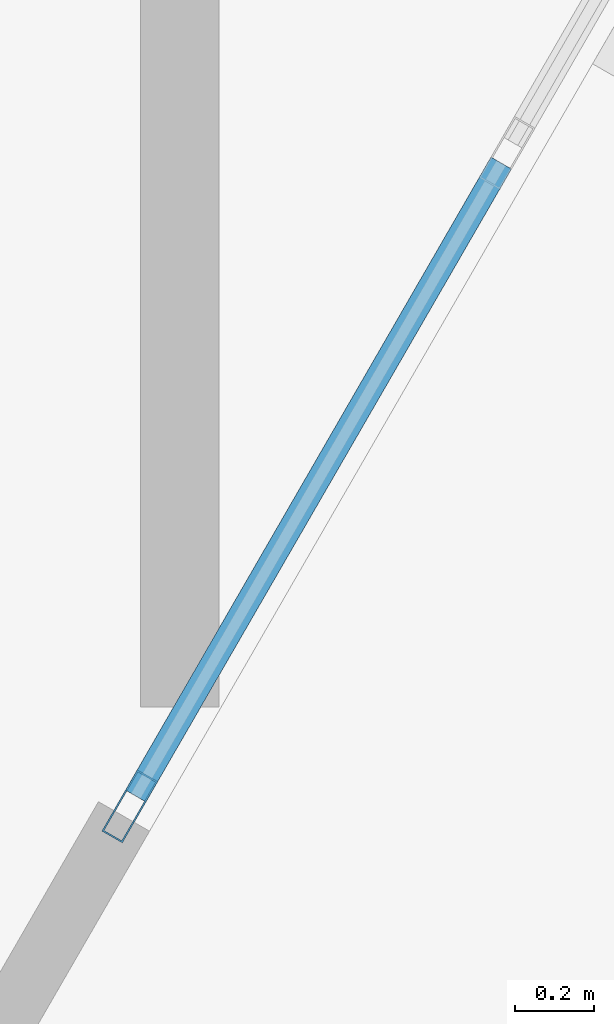
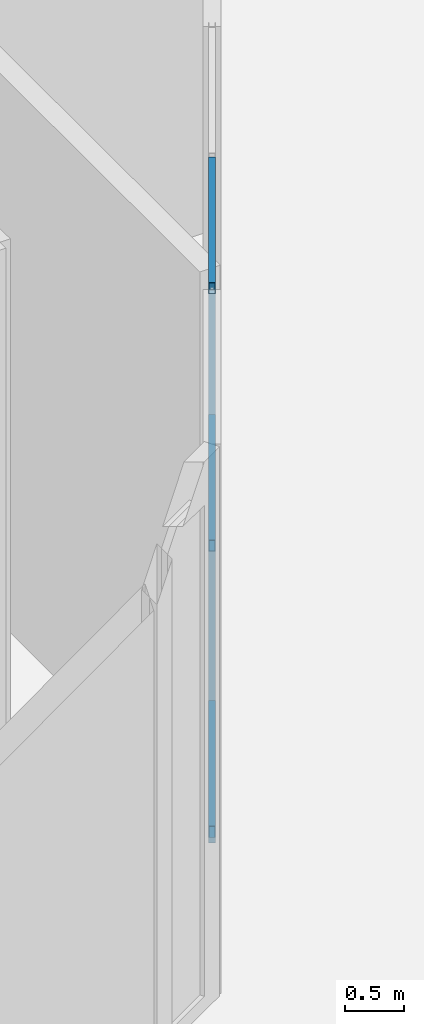
# One storey, part 12 of 43: 4 members, 1 element without a shape of its own.
"""IFC4 building model written with IfcOpenShell, lengths in metres."""

import ifcopenshell
import ifcopenshell.guid

model = None  # the IFC model being written
_history = None  # IfcOwnerHistory: only IFC2X3 demands one
_inside = {}  # id of a spatial element -> (the spatial element, [elements in it])
_under = {}  # id of a project, library or spatial element -> (it, [spatial elements below it])
_declared = {}  # id of a project -> (the project, [libraries it declares])
_typed = {}  # id of a type object -> (the type object, [elements of that type])
_made_of = {}  # id of a material, layer set ... -> (it, [elements and type objects made of it])


def new_model(schema):
    """Start an empty IFC model of exactly this schema.

    Asked for "IFC4X3", IfcOpenShell would pick the latest addendum, in which some entities
    have other attributes; the version numbers below select the first issue.
    IFC2X3 requires an IfcOwnerHistory on every rooted entity: one is made here for all.
    """
    global model, _history
    if schema == "IFC4X3":
        model = ifcopenshell.file(schema_version=(4, 3, 0, 0))
    else:
        model = ifcopenshell.file(schema=schema)
    _inside.clear()
    _under.clear()
    _declared.clear()
    _typed.clear()
    _made_of.clear()
    _history = None
    if model.schema == "IFC2X3":
        org = make("IfcOrganization", Name="unknown")
        user = make(
            "IfcPersonAndOrganization",
            ThePerson=make("IfcPerson", FamilyName="unknown"),
            TheOrganization=org,
        )
        app = make(
            "IfcApplication",
            ApplicationDeveloper=org,
            Version="unknown",
            ApplicationFullName="unknown",
            ApplicationIdentifier="unknown",
        )
        _history = make(
            "IfcOwnerHistory",
            OwningUser=user,
            OwningApplication=app,
            ChangeAction="ADDED",
            CreationDate=0,
        )
    return model


def make(cls, **values):
    """One entity of the class cls with the attributes given. An attribute that is None is left unset."""
    return model.create_entity(
        cls, **{name: value for name, value in values.items() if value is not None}
    )


def rooted(cls, **values):
    """An entity with a GlobalId (a new one), such as an element, a storey or a relation."""
    return make(cls, GlobalId=ifcopenshell.guid.new(), OwnerHistory=_history, **values)


def si_unit(unit_type, name, prefix=None):
    """IfcSIUnit, for example si_unit("LENGTHUNIT", "METRE", prefix="MILLI")."""
    return make("IfcSIUnit", UnitType=unit_type, Prefix=prefix, Name=name)


def assignment(units):
    """IfcUnitAssignment: the units of a project."""
    return None if units is None else make("IfcUnitAssignment", Units=units)


def point(xyz):
    """IfcCartesianPoint."""
    return None if xyz is None else make("IfcCartesianPoint", Coordinates=xyz)


def direction(xyz):
    """IfcDirection."""
    return None if xyz is None else make("IfcDirection", DirectionRatios=xyz)


def frame(location, z_axis=None, x_axis=None):
    """IfcAxis2Placement3D, a coordinate frame: its origin and axes. An axis left out is left unset."""
    return make(
        "IfcAxis2Placement3D",
        Location=point(location),
        Axis=direction(z_axis),
        RefDirection=direction(x_axis),
    )


def frame_2d(location, x_axis=None):
    """IfcAxis2Placement2D, a coordinate frame in the plane: its origin and x axis."""
    return make(
        "IfcAxis2Placement2D", Location=point(location), RefDirection=direction(x_axis)
    )


def origin():
    """The frame at (0, 0, 0) with its axes left unset."""
    return frame((0.0, 0.0, 0.0))


def origin_2d():
    """The frame at (0, 0) in the plane with its x axis left unset."""
    return frame_2d((0.0, 0.0))


def place(relative_to, where):
    """IfcLocalPlacement: puts the frame where relative to a parent placement (None: the world)."""
    return make(
        "IfcLocalPlacement", PlacementRelTo=relative_to, RelativePlacement=where
    )


def context(
    kind, dimensions, precision=None, world=None, true_north=None, identifier=None
):
    """IfcGeometricRepresentationContext, for example the 3D "Model" context."""
    return make(
        "IfcGeometricRepresentationContext",
        ContextIdentifier=identifier,
        ContextType=kind,
        CoordinateSpaceDimension=dimensions,
        Precision=precision,
        WorldCoordinateSystem=world,
        TrueNorth=true_north,
    )


def subcontext(parent, identifier, kind, view, scale=None):
    """IfcGeometricRepresentationSubContext, for example "Body" below "Model"."""
    return make(
        "IfcGeometricRepresentationSubContext",
        ContextIdentifier=identifier,
        ContextType=kind,
        ParentContext=parent,
        TargetScale=scale,
        TargetView=view,
    )


def project(units=None, contexts=None):
    """IfcProject with its units and contexts."""
    return rooted(
        "IfcProject",
        Name="project",
        RepresentationContexts=contexts,
        UnitsInContext=assignment(units),
    )


def spatial(cls, under=None, at=None, **own):
    """A site, building, storey or space (cls), placed at a placement, below another one or the project."""
    s = rooted(cls, ObjectPlacement=at, **own)
    if under is not None:
        _under.setdefault(under.id(), (under, []))[1].append(s)
    return s


def profile(cls, at=None, kind="AREA", **sizes):
    """A parametric profile (cls). Its sizes go by their IFC names, for example OverallWidth=200.0."""
    return make(cls, ProfileType=kind, Position=at, **sizes)


def hollow_rectangle(**sizes):
    """IfcRectangleHollowProfileDef."""
    return profile("IfcRectangleHollowProfileDef", **sizes)


def extrude(swept, where, along, depth):
    """IfcExtrudedAreaSolid: the profile swept, set in the frame where, extruded along a direction by depth."""
    return make(
        "IfcExtrudedAreaSolid",
        SweptArea=swept,
        Position=where,
        ExtrudedDirection=direction(along),
        Depth=depth,
    )


def shape(context_of_items, identifier, shape_type, items):
    """IfcShapeRepresentation: the items that make up one representation, for example the "Body"."""
    return make(
        "IfcShapeRepresentation",
        ContextOfItems=context_of_items,
        RepresentationIdentifier=identifier,
        RepresentationType=shape_type,
        Items=items,
    )


def material(Name=None, Category=None):
    """IfcMaterial."""
    return make("IfcMaterial", Name=Name, Category=Category)


def material_profile(
    of_material, cross_section, Name=None, Category=None, Priority=None
):
    """IfcMaterialProfile: a cross section and its material."""
    return make(
        "IfcMaterialProfile",
        Name=Name,
        Material=of_material,
        Profile=cross_section,
        Priority=Priority,
        Category=Category,
    )


def profile_set(profiles, Name=None, composite=None):
    """IfcMaterialProfileSet."""
    return make(
        "IfcMaterialProfileSet",
        Name=Name,
        MaterialProfiles=profiles,
        CompositeProfile=composite,
    )


def made_of(thing, what):
    """Note that an element or type object is made of a material, layer set ...; save() writes the relation."""
    if what is not None:
        _made_of.setdefault(what.id(), (what, []))[1].append(thing)
    return thing


def type_object(cls, material=None, **own):
    """A type object (cls), such as IfcWallType, which elements share."""
    return made_of(rooted(cls, **own), material)


def element(
    cls,
    number,
    at=None,
    inside=None,
    cuts=None,
    type_object=None,
    material=None,
    context=None,
    identifier="Body",
    shape_type=None,
    held_by="IfcProductDefinitionShape",
    body=None,
    shapes=None,
    **own,
):
    """One element of the class cls, such as IfcWall. Its Tag is "e" and its number.

    at: its placement. inside: the storey or other place that contains it. cuts: it is an
    opening in that element (IfcRelVoidsElement). A single representation is given by context,
    identifier, shape_type and body (its items); several are given by shapes. held_by: the class
    of the entity that holds the representations. save() writes the other relations.
    """
    e = rooted(cls, Tag="e%d" % number, ObjectPlacement=at, **own)
    if body is not None:
        shapes = [shape(context, identifier, shape_type, body)]
    if shapes is not None:
        e.Representation = make(held_by, Representations=shapes)
    if inside is not None:
        _inside.setdefault(inside.id(), (inside, []))[1].append(e)
    if cuts is not None:
        rooted(
            "IfcRelVoidsElement", RelatingBuildingElement=cuts, RelatedOpeningElement=e
        )
    if type_object is not None:
        _typed.setdefault(type_object.id(), (type_object, []))[1].append(e)
    return made_of(e, material)


def aggregate(whole, parts):
    """IfcRelAggregates: a whole, such as a stair, and the parts it consists of."""
    return rooted("IfcRelAggregates", RelatingObject=whole, RelatedObjects=parts)


def save(model, path):
    """Write the relations noted so far, then the file.

    IfcRelAggregates (storeys below a building ...), IfcRelContainedInSpatialStructure (elements
    in a storey), IfcRelDefinesByType, IfcRelAssociatesMaterial and IfcRelDeclares: one each for
    every whole, place, type object, material and project.
    """
    for whole, parts in _under.values():
        aggregate(whole, parts)
    for where, things in _inside.values():
        rooted(
            "IfcRelContainedInSpatialStructure",
            RelatedElements=things,
            RelatingStructure=where,
        )
    for kind, things in _typed.values():
        rooted("IfcRelDefinesByType", RelatedObjects=things, RelatingType=kind)
    for what, things in _made_of.values():
        rooted("IfcRelAssociatesMaterial", RelatedObjects=things, RelatingMaterial=what)
    for by, libraries in _declared.values():
        rooted("IfcRelDeclares", RelatingContext=by, RelatedDefinitions=libraries)
    model.write(path)


model = new_model("IFC4")

# Units and contexts
model_context = context("Model", 3, precision=1e-05, world=origin(), true_north=direction((0.0, 1.0)))
body_context = subcontext(model_context, "Body", "Model", "MODEL_VIEW")
ifc_project = project(units=[si_unit("LENGTHUNIT", "METRE"), si_unit("AREAUNIT", "SQUARE_METRE"), si_unit("VOLUMEUNIT", "CUBIC_METRE"), si_unit("PLANEANGLEUNIT", "RADIAN"), si_unit("MASSUNIT", "GRAM", prefix="KILO")], contexts=[model_context])

# Site, building, storey
site_placement = place(None, origin())
site = spatial("IfcSite", under=ifc_project, at=site_placement, CompositionType="ELEMENT")
building_placement = place(site_placement, origin())
building = spatial("IfcBuilding", under=site, at=building_placement, Name="Ostrander Bayou Hotel Tower", CompositionType="ELEMENT")
storey_placement = place(building_placement, frame((0.0, 0.0, 151.0)))
storey = spatial("IfcBuildingStorey", under=building, at=storey_placement, Name="L37", CompositionType="ELEMENT", Elevation=151.0)

# Curtain wall, members
ifc_material_1 = material(Name="Aluminium and clear glass", Category="aluminium")
curtain_wall_type = type_object("IfcCurtainWallType", Name="CW-SKY amenity glass wall", PredefinedType="NOTDEFINED", material=ifc_material_1)
curtain_wall_placement = place(storey_placement, origin())
curtain_wall = element("IfcCurtainWall", 1, at=curtain_wall_placement, inside=storey, type_object=curtain_wall_type, Name="CW-SKY L37 SE 1", PredefinedType="NOTDEFINED")
ifc_material_2 = material(Name="Aluminium", Category="aluminium")
ifc_material_profile_1 = material_profile(ifc_material_2, hollow_rectangle(XDim=0.06005859375, YDim=0.179931640625, WallThickness=0.00390625, at=origin_2d()))
ifc_profile_set_1 = profile_set([ifc_material_profile_1], Name="Aluminium")
member_type_1 = type_object("IfcMemberType", Name="CW-SK mullion 60 x 180 mm", PredefinedType="MULLION", material=ifc_profile_set_1)
member_1_placement = place(storey_placement, frame((10.373291015625, -12.8828125, 0.0), z_axis=(0.0, 0.0, 1.0), x_axis=(-0.866025463091, 0.499999897278, 0.0)))
member_1 = element("IfcMember", 2, at=member_1_placement, type_object=member_type_1, Name="CW-SKY mullion 1", PredefinedType="MULLION", context=body_context, shape_type="SweptSolid", body=[
    extrude(hollow_rectangle(XDim=0.06005859375, YDim=0.179931640625, WallThickness=0.00390625, at=origin_2d()), origin(), (0.0, 0.0, 1.0), 5.699951171875),
])
ifc_material_3 = material(Name="Aluminium", Category="aluminium")
ifc_material_profile_2 = material_profile(ifc_material_3, hollow_rectangle(XDim=0.06005859375, YDim=0.1201171875, WallThickness=0.00390625, at=origin_2d()))
ifc_profile_set_2 = profile_set([ifc_material_profile_2], Name="Aluminium")
member_type_2 = type_object("IfcMemberType", Name="CW-SK transom 60 x 120 mm", PredefinedType="USERDEFINED", material=ifc_profile_set_2)
member_2_placement = place(storey_placement, frame((10.388427734375, -12.856689453125, 0.030029296875), z_axis=(0.499964847546, 0.866045698112, 0.0), x_axis=(-0.866045698112, 0.499964847546, 0.0)))
member_2 = element("IfcMember", 3, at=member_2_placement, type_object=member_type_2, Name="CW-SKY transom 1.1", ObjectType="TRANSOM", PredefinedType="USERDEFINED", context=body_context, shape_type="SweptSolid", body=[
    extrude(hollow_rectangle(XDim=0.06005859375, YDim=0.1201171875, WallThickness=0.00390625, at=origin_2d()), origin(), (0.0, 0.0, 1.0), 1.860107421875),
])
member_3_placement = place(storey_placement, frame((10.388427734375, -12.856689453125, 3.0), z_axis=(0.499964847546, 0.866045698112, 0.0), x_axis=(-0.866045698112, 0.499964847546, 0.0)))
member_3 = element("IfcMember", 4, at=member_3_placement, type_object=member_type_2, Name="CW-SKY transom 1.2", ObjectType="TRANSOM", PredefinedType="USERDEFINED", context=body_context, shape_type="SweptSolid", body=[
    extrude(hollow_rectangle(XDim=0.06005859375, YDim=0.1201171875, WallThickness=0.00390625, at=origin_2d()), origin(), (0.0, 0.0, 1.0), 1.860107421875),
])
member_4_placement = place(storey_placement, frame((10.388427734375, -12.856689453125, 5.669921875), z_axis=(0.499964847546, 0.866045698112, 0.0), x_axis=(-0.866045698112, 0.499964847546, 0.0)))
member_4 = element("IfcMember", 5, at=member_4_placement, type_object=member_type_2, Name="CW-SKY transom 1.3", ObjectType="TRANSOM", PredefinedType="USERDEFINED", context=body_context, shape_type="SweptSolid", body=[
    extrude(hollow_rectangle(XDim=0.06005859375, YDim=0.1201171875, WallThickness=0.00390625, at=origin_2d()), origin(), (0.0, 0.0, 1.0), 1.860107421875),
])
aggregate(curtain_wall, [member_1, member_2, member_3, member_4])

save(model, "model.ifc")
